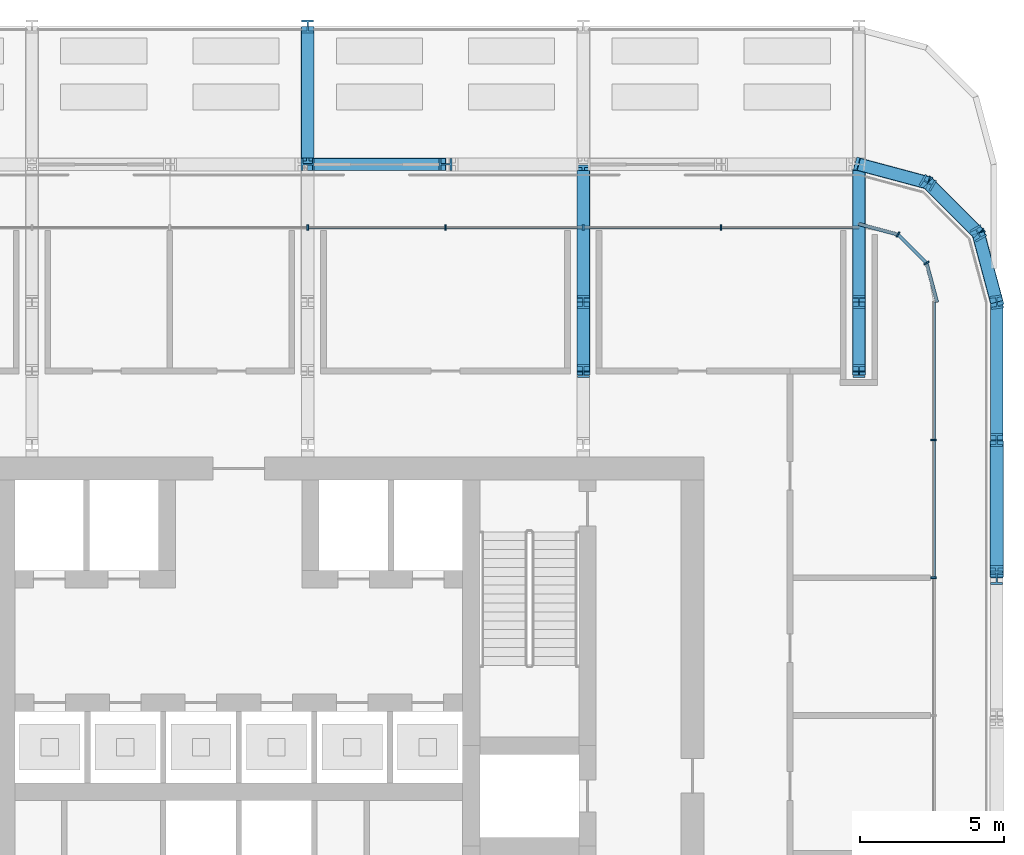
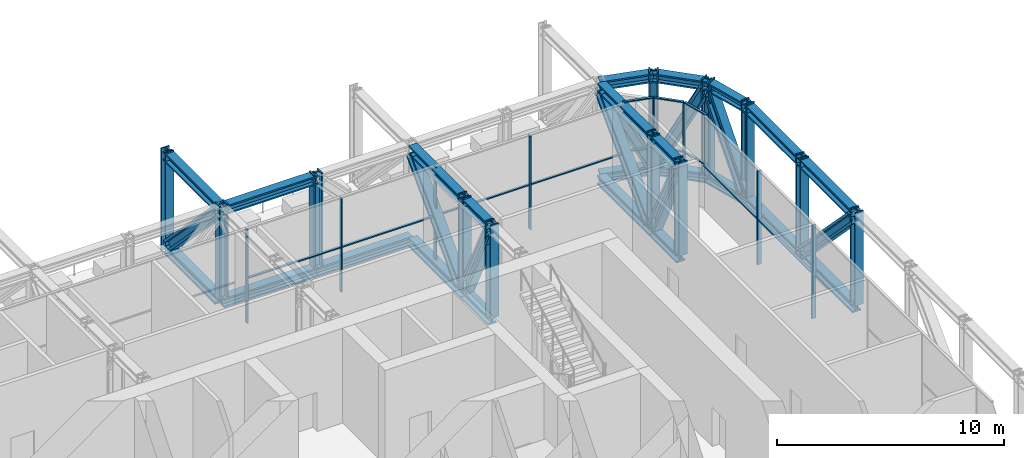
# One storey, part 12 of 27: 64 members, 3 elements without a shape of their own.
"""IFC4 building model written with IfcOpenShell, lengths in metres."""

from ifc_helpers import new_model, si_unit, direction, frame, origin, origin_2d, place, context, subcontext, project, spatial, rectangle, i_section, extrude, material, layer, layer_set, material_profile, profile_set, type_object, element, aggregate, save


model = new_model("IFC4")

# Units and contexts
model_context = context("Model", 3, precision=1e-05, world=origin(), true_north=direction((0.0, 1.0)))
body_context = subcontext(model_context, "Body", "Model", "MODEL_VIEW")
ifc_project = project(units=[si_unit("LENGTHUNIT", "METRE"), si_unit("AREAUNIT", "SQUARE_METRE"), si_unit("VOLUMEUNIT", "CUBIC_METRE"), si_unit("PLANEANGLEUNIT", "RADIAN"), si_unit("MASSUNIT", "GRAM", prefix="KILO")], contexts=[model_context])

# Site, building, storey
site_placement = place(None, origin())
site = spatial("IfcSite", under=ifc_project, at=site_placement, CompositionType="ELEMENT")
building_placement = place(site_placement, origin())
building = spatial("IfcBuilding", under=site, at=building_placement, Name="Madar Terraces", CompositionType="ELEMENT")
storey_placement = place(building_placement, frame((0.0, 0.0, 143.60009765625)))
storey = spatial("IfcBuildingStorey", under=building, at=storey_placement, Name="L37", CompositionType="ELEMENT", Elevation=143.60009765625)

# Members
ifc_material_1 = material(Name="Steel ASTM A913 Grade 65", Category="steel")
ifc_material_profile_1 = material_profile(ifc_material_1, i_section(OverallWidth=0.431884765625, OverallDepth=0.497802734375, WebThickness=0.0556640625, FlangeThickness=0.0888671875, at=origin_2d()), Name="W14x500")
ifc_profile_set_1 = profile_set([ifc_material_profile_1], Name="Steel ASTM A913 Grade 65")
member_type_1 = type_object("IfcMemberType", Name="BC5 W14x500", PredefinedType="CHORD", material=ifc_profile_set_1)
member_1_placement = place(storey_placement, frame((57.60009765625, 33.60009765625, -0.171142578125), z_axis=(0.0, 1.0, 0.0), x_axis=(-1.0, 0.0, 0.0)))
element("IfcMember", 1, at=member_1_placement, inside=storey, type_object=member_type_1, Name="Exoskeleton truss ring bottom chord BC5", PredefinedType="CHORD", context=body_context, shape_type="SweptSolid", body=[
    extrude(i_section(OverallWidth=0.431884765625, OverallDepth=0.497802734375, WebThickness=0.0556640625, FlangeThickness=0.0888671875, at=origin_2d()), origin(), (0.0, 0.0, 1.0), 4.7998046875),
])
member_2_placement = place(storey_placement, frame((57.60009765625, 38.39990234375, -0.171142578125), z_axis=(0.0, 1.0, 0.0), x_axis=(-1.0, 0.0, 0.0)))
element("IfcMember", 2, at=member_2_placement, inside=storey, type_object=member_type_1, Name="Exoskeleton truss ring bottom chord BC5", PredefinedType="CHORD", context=body_context, shape_type="SweptSolid", body=[
    extrude(i_section(OverallWidth=0.431884765625, OverallDepth=0.497802734375, WebThickness=0.0556640625, FlangeThickness=0.0888671875, at=origin_2d()), origin(), (0.0, 0.0, 1.0), 4.800048828125),
])
member_3_placement = place(storey_placement, frame((57.60009765625, 43.199951171875, -0.171142578125), z_axis=(-0.258799930484, 0.965930947833, 0.0), x_axis=(-0.965930947833, -0.258799930484, 0.0)))
element("IfcMember", 3, at=member_3_placement, inside=storey, type_object=member_type_1, Name="Exoskeleton truss ring bottom chord BC5", PredefinedType="CHORD", context=body_context, shape_type="SweptSolid", body=[
    extrude(i_section(OverallWidth=0.431884765625, OverallDepth=0.497802734375, WebThickness=0.0556640625, FlangeThickness=0.0888671875, at=origin_2d()), origin(), (0.0, 0.0, 1.0), 2.48486328125),
])
for number, where, z_axis, x_axis, name in (
    (4, (56.95703125, 45.60009765625, -0.171142578125), (-0.707155907999, 0.70705765096, 0.0), (-0.70705765096, -0.707155907999, 0.0), "Exoskeleton truss ring bottom chord BC5"),
    (5, (55.199951171875, 47.35693359375, -0.171142578125), (-0.965924366126, 0.258824494443, 0.0), (-0.258824494443, -0.965924366126, 0.0), "Exoskeleton truss ring bottom chord BC5"),
):
    element("IfcMember", number, at=place(storey_placement, frame(where, z_axis=z_axis, x_axis=x_axis)), inside=storey, type_object=member_type_1, Name=name, PredefinedType="CHORD", context=body_context, shape_type="SweptSolid", body=[
        extrude(i_section(OverallWidth=0.431884765625, OverallDepth=0.497802734375, WebThickness=0.0556640625, FlangeThickness=0.0888671875, at=origin_2d()), origin(), (0.0, 0.0, 1.0), 2.484619140625),
    ])
member_4_placement = place(storey_placement, frame((43.199951171875, 48.0, -0.171142578125), z_axis=(-1.0, 0.0, 0.0), x_axis=(0.0, -1.0, 0.0)))
element("IfcMember", 6, at=member_4_placement, inside=storey, type_object=member_type_1, Name="Exoskeleton truss ring bottom chord BC5", PredefinedType="CHORD", context=body_context, shape_type="SweptSolid", body=[
    extrude(i_section(OverallWidth=0.431884765625, OverallDepth=0.497802734375, WebThickness=0.0556640625, FlangeThickness=0.0888671875, at=origin_2d()), origin(), (0.0, 0.0, 1.0), 4.800048828125),
])
member_5_placement = place(storey_placement, frame((38.39990234375, 48.0, -0.171142578125), z_axis=(-1.0, 0.0, 0.0), x_axis=(0.0, -1.0, 0.0)))
element("IfcMember", 7, at=member_5_placement, inside=storey, type_object=member_type_1, Name="Exoskeleton truss ring bottom chord BC5", PredefinedType="CHORD", context=body_context, shape_type="SweptSolid", body=[
    extrude(i_section(OverallWidth=0.431884765625, OverallDepth=0.497802734375, WebThickness=0.0556640625, FlangeThickness=0.0888671875, at=origin_2d()), origin(), (0.0, 0.0, 1.0), 4.7998046875),
])
for number, where, z_axis, x_axis, name in (
    (8, (33.60009765625, 52.800048828125, -0.171142578125), (0.0, -1.0, 0.0), (1.0, 0.0, 0.0), "Exoskeleton truss cross N33.6 bottom chord BC5"),
    (9, (43.199951171875, 47.7841796875, -0.171142578125), (0.0, -1.0, 0.0), (1.0, 0.0, 0.0), "Exoskeleton truss cross N43.2 bottom chord BC5"),
):
    element("IfcMember", number, at=place(storey_placement, frame(where, z_axis=z_axis, x_axis=x_axis)), inside=storey, type_object=member_type_1, Name=name, PredefinedType="CHORD", context=body_context, shape_type="SweptSolid", body=[
        extrude(i_section(OverallWidth=0.431884765625, OverallDepth=0.497802734375, WebThickness=0.0556640625, FlangeThickness=0.0888671875, at=origin_2d()), origin(), (0.0, 0.0, 1.0), 4.584228515625),
    ])
member_6_placement = place(storey_placement, frame((43.199951171875, 43.199951171875, -0.171142578125), z_axis=(0.0, -1.0, 0.0), x_axis=(1.0, 0.0, 0.0)))
element("IfcMember", 10, at=member_6_placement, inside=storey, type_object=member_type_1, Name="Exoskeleton truss cross N43.2 bottom chord BC5", PredefinedType="CHORD", context=body_context, shape_type="SweptSolid", body=[
    extrude(i_section(OverallWidth=0.431884765625, OverallDepth=0.497802734375, WebThickness=0.0556640625, FlangeThickness=0.0888671875, at=origin_2d()), origin(), (0.0, 0.0, 1.0), 2.39990234375),
])
member_7_placement = place(storey_placement, frame((52.800048828125, 47.7841796875, -0.171142578125), z_axis=(0.0, -1.0, 0.0), x_axis=(1.0, 0.0, 0.0)))
element("IfcMember", 11, at=member_7_placement, inside=storey, type_object=member_type_1, Name="Exoskeleton truss cross N52.8 bottom chord BC5", PredefinedType="CHORD", context=body_context, shape_type="SweptSolid", body=[
    extrude(i_section(OverallWidth=0.431884765625, OverallDepth=0.497802734375, WebThickness=0.0556640625, FlangeThickness=0.0888671875, at=origin_2d()), origin(), (0.0, 0.0, 1.0), 4.584228515625),
])
member_8_placement = place(storey_placement, frame((52.800048828125, 43.199951171875, -0.171142578125), z_axis=(0.0, -1.0, 0.0), x_axis=(1.0, 0.0, 0.0)))
element("IfcMember", 12, at=member_8_placement, inside=storey, type_object=member_type_1, Name="Exoskeleton truss cross N52.8 bottom chord BC5", PredefinedType="CHORD", context=body_context, shape_type="SweptSolid", body=[
    extrude(i_section(OverallWidth=0.431884765625, OverallDepth=0.497802734375, WebThickness=0.0556640625, FlangeThickness=0.0888671875, at=origin_2d()), origin(), (0.0, 0.0, 1.0), 2.39990234375),
])

# Curtain wall, members
ifc_material_2 = material(Name="Glass, ceramic frit dark grey, with black aluminium frame", Category="aluminium")
ifc_layer = layer(ifc_material_2, 0.199951171875)
ifc_layer_set = layer_set([ifc_layer], Name="Facade curtain wall, tall glazing")
curtain_wall_type = type_object("IfcCurtainWallType", Name="Facade curtain wall, tall glazing", PredefinedType="NOTDEFINED", material=ifc_layer_set)
curtain_wall_1_placement = place(storey_placement, origin())
curtain_wall_1 = element("IfcCurtainWall", 13, at=curtain_wall_1_placement, inside=storey, type_object=curtain_wall_type, Name="Outer skin curtain wall east bay 1", PredefinedType="NOTDEFINED")
ifc_material_3 = material(Name="Aluminium, black anodised", Category="aluminium")
ifc_material_profile_2 = material_profile(ifc_material_3, rectangle(XDim=0.199951171875, YDim=0.06005859375, at=origin_2d()), Name="Facade mullion 60x200")
ifc_profile_set_2 = profile_set([ifc_material_profile_2], Name="Aluminium, black anodised")
member_type_2 = type_object("IfcMemberType", Name="Facade mullion 60x200", PredefinedType="MULLION", material=ifc_profile_set_2)
member_9_placement = place(storey_placement, frame((55.39990234375, 33.60009765625, 0.0), z_axis=(0.0, 0.0, 1.0), x_axis=(-1.0, 0.0, 0.0)))
member_9 = element("IfcMember", 14, at=member_9_placement, type_object=member_type_2, Name="Mullion 6", PredefinedType="MULLION", context=body_context, shape_type="SweptSolid", body=[
    extrude(rectangle(XDim=0.199951171875, YDim=0.06005859375, at=origin_2d()), origin(), (0.0, 0.0, 1.0), 5.039794921875),
])
member_10_placement = place(storey_placement, frame((55.39990234375, 38.39990234375, 0.0), z_axis=(0.0, 0.0, 1.0), x_axis=(-1.0, 0.0, 0.0)))
member_10 = element("IfcMember", 15, at=member_10_placement, type_object=member_type_2, Name="Mullion 7", PredefinedType="MULLION", context=body_context, shape_type="SweptSolid", body=[
    extrude(rectangle(XDim=0.199951171875, YDim=0.06005859375, at=origin_2d()), origin(), (0.0, 0.0, 1.0), 5.039794921875),
])

curtain_wall_2_placement = place(storey_placement, origin())
curtain_wall_2 = element("IfcCurtainWall", 16, at=curtain_wall_2_placement, inside=storey, type_object=curtain_wall_type, Name="Outer skin curtain wall north bay 1", PredefinedType="NOTDEFINED")
member_11_placement = place(storey_placement, frame((48.0, 45.800048828125, 0.0), z_axis=(0.0, 0.0, 1.0), x_axis=(0.0, -1.0, 0.0)))
member_11 = element("IfcMember", 17, at=member_11_placement, type_object=member_type_2, Name="Mullion 1", PredefinedType="MULLION", context=body_context, shape_type="SweptSolid", body=[
    extrude(rectangle(XDim=0.199951171875, YDim=0.06005859375, at=origin_2d()), origin(), (0.0, 0.0, 1.0), 5.039794921875),
])
member_12_placement = place(storey_placement, frame((43.199951171875, 45.800048828125, 0.0), z_axis=(0.0, 0.0, 1.0), x_axis=(0.0, -1.0, 0.0)))
member_12 = element("IfcMember", 18, at=member_12_placement, type_object=member_type_2, Name="Mullion 2", PredefinedType="MULLION", context=body_context, shape_type="SweptSolid", body=[
    extrude(rectangle(XDim=0.199951171875, YDim=0.06005859375, at=origin_2d()), origin(), (0.0, 0.0, 1.0), 5.039794921875),
])
member_13_placement = place(storey_placement, frame((38.39990234375, 45.800048828125, 0.0), z_axis=(0.0, 0.0, 1.0), x_axis=(0.0, -1.0, 0.0)))
member_13 = element("IfcMember", 19, at=member_13_placement, type_object=member_type_2, Name="Mullion 3", PredefinedType="MULLION", context=body_context, shape_type="SweptSolid", body=[
    extrude(rectangle(XDim=0.199951171875, YDim=0.06005859375, at=origin_2d()), origin(), (0.0, 0.0, 1.0), 5.039794921875),
])
member_14_placement = place(storey_placement, frame((33.60009765625, 45.800048828125, 0.0), z_axis=(0.0, 0.0, 1.0), x_axis=(0.0, -1.0, 0.0)))
member_14 = element("IfcMember", 20, at=member_14_placement, type_object=member_type_2, Name="Mullion 4", PredefinedType="MULLION", context=body_context, shape_type="SweptSolid", body=[
    extrude(rectangle(XDim=0.199951171875, YDim=0.06005859375, at=origin_2d()), origin(), (0.0, 0.0, 1.0), 5.039794921875),
])

curtain_wall_3_placement = place(storey_placement, origin())
curtain_wall_3 = element("IfcCurtainWall", 21, at=curtain_wall_3_placement, inside=storey, type_object=curtain_wall_type, Name="Outer skin curtain wall north-east corner", PredefinedType="NOTDEFINED")
member_15_placement = place(storey_placement, frame((55.155517578125, 44.56005859375, 0.0), z_axis=(0.0, 0.0, 1.0), x_axis=(-0.866025386925, -0.500000029202, 0.0)))
member_15 = element("IfcMember", 22, at=member_15_placement, type_object=member_type_2, Name="Mullion 1", PredefinedType="MULLION", context=body_context, shape_type="SweptSolid", body=[
    extrude(rectangle(XDim=0.199951171875, YDim=0.06005859375, at=origin_2d()), origin(), (0.0, 0.0, 1.0), 5.039794921875),
])
member_16_placement = place(storey_placement, frame((54.159912109375, 45.5556640625, 0.0), z_axis=(0.0, 0.0, 1.0), x_axis=(-0.500000029202, -0.866025386925, 0.0)))
member_16 = element("IfcMember", 23, at=member_16_placement, type_object=member_type_2, Name="Mullion 2", PredefinedType="MULLION", context=body_context, shape_type="SweptSolid", body=[
    extrude(rectangle(XDim=0.199951171875, YDim=0.06005859375, at=origin_2d()), origin(), (0.0, 0.0, 1.0), 5.039794921875),
])

# Member
ifc_material_4 = material(Name="Aluminium, black anodised", Category="aluminium")
ifc_material_profile_3 = material_profile(ifc_material_4, rectangle(XDim=0.1201171875, YDim=0.06005859375, at=origin_2d()), Name="Facade transom 60x120")
ifc_profile_set_3 = profile_set([ifc_material_profile_3], Name="Aluminium, black anodised")
member_type_3 = type_object("IfcMemberType", Name="Facade transom 60x120", PredefinedType="USERDEFINED", material=ifc_profile_set_3)
member_17_placement = place(storey_placement, frame((55.39990234375, 33.6298828125, 2.39990234375), z_axis=(0.0, 1.0, 0.0), x_axis=(-1.0, 0.0, 0.0)))
member_17 = element("IfcMember", 24, at=member_17_placement, type_object=member_type_3, Name="Transom 8", ObjectType="TRANSOM", PredefinedType="USERDEFINED", context=body_context, shape_type="SweptSolid", body=[
    extrude(rectangle(XDim=0.1201171875, YDim=0.06005859375, at=origin_2d()), origin(), (0.0, 0.0, 1.0), 4.740234375),
])

member_18_placement = place(storey_placement, frame((55.39990234375, 38.429931640625, 2.39990234375), z_axis=(0.0, 1.0, 0.0), x_axis=(-1.0, 0.0, 0.0)))
member_18 = element("IfcMember", 25, at=member_18_placement, type_object=member_type_3, Name="Transom 9", ObjectType="TRANSOM", PredefinedType="USERDEFINED", context=body_context, shape_type="SweptSolid", body=[
    extrude(rectangle(XDim=0.1201171875, YDim=0.06005859375, at=origin_2d()), origin(), (0.0, 0.0, 1.0), 4.77001953125),
])

aggregate(curtain_wall_1, [member_9, member_10, member_17, member_18])

member_19_placement = place(storey_placement, frame((52.800048828125, 45.800048828125, 2.39990234375), z_axis=(-1.0, 0.0, 0.0), x_axis=(0.0, -1.0, 0.0)))
member_19 = element("IfcMember", 26, at=member_19_placement, type_object=member_type_3, Name="Transom 2", ObjectType="TRANSOM", PredefinedType="USERDEFINED", context=body_context, shape_type="SweptSolid", body=[
    extrude(rectangle(XDim=0.1201171875, YDim=0.06005859375, at=origin_2d()), origin(), (0.0, 0.0, 1.0), 4.77001953125),
])

member_20_placement = place(storey_placement, frame((47.969970703125, 45.800048828125, 2.39990234375), z_axis=(-1.0, 0.0, 0.0), x_axis=(0.0, -1.0, 0.0)))
member_20 = element("IfcMember", 27, at=member_20_placement, type_object=member_type_3, Name="Transom 3", ObjectType="TRANSOM", PredefinedType="USERDEFINED", context=body_context, shape_type="SweptSolid", body=[
    extrude(rectangle(XDim=0.1201171875, YDim=0.06005859375, at=origin_2d()), origin(), (0.0, 0.0, 1.0), 4.739990234375),
])

member_21_placement = place(storey_placement, frame((43.169921875, 45.800048828125, 2.39990234375), z_axis=(-1.0, 0.0, 0.0), x_axis=(0.0, -1.0, 0.0)))
member_21 = element("IfcMember", 28, at=member_21_placement, type_object=member_type_3, Name="Transom 4", ObjectType="TRANSOM", PredefinedType="USERDEFINED", context=body_context, shape_type="SweptSolid", body=[
    extrude(rectangle(XDim=0.1201171875, YDim=0.06005859375, at=origin_2d()), origin(), (0.0, 0.0, 1.0), 4.739990234375),
])

member_22_placement = place(storey_placement, frame((38.3701171875, 45.800048828125, 2.39990234375), z_axis=(-1.0, 0.0, 0.0), x_axis=(0.0, -1.0, 0.0)))
member_22 = element("IfcMember", 29, at=member_22_placement, type_object=member_type_3, Name="Transom 5", ObjectType="TRANSOM", PredefinedType="USERDEFINED", context=body_context, shape_type="SweptSolid", body=[
    extrude(rectangle(XDim=0.1201171875, YDim=0.06005859375, at=origin_2d()), origin(), (0.0, 0.0, 1.0), 4.740234375),
])

aggregate(curtain_wall_2, [member_11, member_12, member_13, member_14, member_19, member_20, member_21, member_22])

member_23_placement = place(storey_placement, frame((55.52001953125, 43.199951171875, 5.06982421875), z_axis=(-0.258842352791, 0.965919580711, 0.0), x_axis=(-0.965919580711, -0.258842352791, 0.0)))
member_23 = element("IfcMember", 30, at=member_23_placement, type_object=member_type_3, Name="Transom 1", ObjectType="TRANSOM", PredefinedType="USERDEFINED", context=body_context, shape_type="SweptSolid", body=[
    extrude(rectangle(XDim=0.1201171875, YDim=0.06005859375, at=origin_2d()), origin(), (0.0, 0.0, 1.0), 1.3779296875),
])

member_24_placement = place(storey_placement, frame((55.52001953125, 43.199951171875, 2.39990234375), z_axis=(-0.258842352791, 0.965919580711, 0.0), x_axis=(-0.965919580711, -0.258842352791, 0.0)))
member_24 = element("IfcMember", 31, at=member_24_placement, type_object=member_type_3, Name="Transom 2", ObjectType="TRANSOM", PredefinedType="USERDEFINED", context=body_context, shape_type="SweptSolid", body=[
    extrude(rectangle(XDim=0.1201171875, YDim=0.06005859375, at=origin_2d()), origin(), (0.0, 0.0, 1.0), 1.3779296875),
])

member_25_placement = place(storey_placement, frame((55.13427734375, 44.581298828125, 5.06982421875), z_axis=(-0.707106781187, 0.707106781187, 0.0), x_axis=(-0.707106781187, -0.707106781187, 0.0)))
member_25 = element("IfcMember", 32, at=member_25_placement, type_object=member_type_3, Name="Transom 3", ObjectType="TRANSOM", PredefinedType="USERDEFINED", context=body_context, shape_type="SweptSolid", body=[
    extrude(rectangle(XDim=0.1201171875, YDim=0.06005859375, at=origin_2d()), origin(), (0.0, 0.0, 1.0), 1.347900390625),
])

member_26_placement = place(storey_placement, frame((55.13427734375, 44.581298828125, 2.39990234375), z_axis=(-0.707106781187, 0.707106781187, 0.0), x_axis=(-0.707106781187, -0.707106781187, 0.0)))
member_26 = element("IfcMember", 33, at=member_26_placement, type_object=member_type_3, Name="Transom 4", ObjectType="TRANSOM", PredefinedType="USERDEFINED", context=body_context, shape_type="SweptSolid", body=[
    extrude(rectangle(XDim=0.1201171875, YDim=0.06005859375, at=origin_2d()), origin(), (0.0, 0.0, 1.0), 1.347900390625),
])

member_27_placement = place(storey_placement, frame((54.131103515625, 45.563232421875, 5.06982421875), z_axis=(-0.965919580711, 0.258842352791, 0.0), x_axis=(-0.258842352791, -0.965919580711, 0.0)))
member_27 = element("IfcMember", 34, at=member_27_placement, type_object=member_type_3, Name="Transom 5", ObjectType="TRANSOM", PredefinedType="USERDEFINED", context=body_context, shape_type="SweptSolid", body=[
    extrude(rectangle(XDim=0.1201171875, YDim=0.06005859375, at=origin_2d()), origin(), (0.0, 0.0, 1.0), 1.3779296875),
])

member_28_placement = place(storey_placement, frame((54.131103515625, 45.563232421875, 2.39990234375), z_axis=(-0.965919580711, 0.258842352791, 0.0), x_axis=(-0.258842352791, -0.965919580711, 0.0)))
member_28 = element("IfcMember", 35, at=member_28_placement, type_object=member_type_3, Name="Transom 6", ObjectType="TRANSOM", PredefinedType="USERDEFINED", context=body_context, shape_type="SweptSolid", body=[
    extrude(rectangle(XDim=0.1201171875, YDim=0.06005859375, at=origin_2d()), origin(), (0.0, 0.0, 1.0), 1.3779296875),
])

aggregate(curtain_wall_3, [member_15, member_23, member_24, member_16, member_25, member_26, member_27, member_28])

# Members
ifc_material_5 = material(Name="Steel ASTM A913 Grade 65", Category="steel")
ifc_material_profile_4 = material_profile(ifc_material_5, i_section(OverallWidth=0.424072265625, OverallDepth=0.47509765625, WebThickness=0.0478515625, FlangeThickness=0.0771484375, at=origin_2d()), Name="W14x426")
ifc_profile_set_4 = profile_set([ifc_material_profile_4], Name="Steel ASTM A913 Grade 65")
member_type_4 = type_object("IfcMemberType", Name="TC5 W14x426", PredefinedType="CHORD", material=ifc_profile_set_4)
member_29_placement = place(storey_placement, frame((57.60009765625, 33.60009765625, 4.79248046875), z_axis=(0.0, 1.0, 0.0), x_axis=(-1.0, 0.0, 0.0)))
element("IfcMember", 36, at=member_29_placement, inside=storey, type_object=member_type_4, Name="Exoskeleton truss ring top chord TC5", PredefinedType="CHORD", context=body_context, shape_type="SweptSolid", body=[
    extrude(i_section(OverallWidth=0.424072265625, OverallDepth=0.47509765625, WebThickness=0.0478515625, FlangeThickness=0.0771484375, at=origin_2d()), origin(), (0.0, 0.0, 1.0), 4.7998046875),
])
member_30_placement = place(storey_placement, frame((57.60009765625, 38.39990234375, 4.79248046875), z_axis=(0.0, 1.0, 0.0), x_axis=(-1.0, 0.0, 0.0)))
element("IfcMember", 37, at=member_30_placement, inside=storey, type_object=member_type_4, Name="Exoskeleton truss ring top chord TC5", PredefinedType="CHORD", context=body_context, shape_type="SweptSolid", body=[
    extrude(i_section(OverallWidth=0.424072265625, OverallDepth=0.47509765625, WebThickness=0.0478515625, FlangeThickness=0.0771484375, at=origin_2d()), origin(), (0.0, 0.0, 1.0), 4.800048828125),
])
member_31_placement = place(storey_placement, frame((57.60009765625, 43.199951171875, 4.79248046875), z_axis=(-0.258799930484, 0.965930947833, 0.0), x_axis=(-0.965930947833, -0.258799930484, 0.0)))
element("IfcMember", 38, at=member_31_placement, inside=storey, type_object=member_type_4, Name="Exoskeleton truss ring top chord TC5", PredefinedType="CHORD", context=body_context, shape_type="SweptSolid", body=[
    extrude(i_section(OverallWidth=0.424072265625, OverallDepth=0.47509765625, WebThickness=0.0478515625, FlangeThickness=0.0771484375, at=origin_2d()), origin(), (0.0, 0.0, 1.0), 2.48486328125),
])
for number, where, z_axis, x_axis, name in (
    (39, (56.95703125, 45.60009765625, 4.79248046875), (-0.707155907999, 0.70705765096, 0.0), (-0.70705765096, -0.707155907999, 0.0), "Exoskeleton truss ring top chord TC5"),
    (40, (55.199951171875, 47.35693359375, 4.79248046875), (-0.965924366126, 0.258824494443, 0.0), (-0.258824494443, -0.965924366126, 0.0), "Exoskeleton truss ring top chord TC5"),
):
    element("IfcMember", number, at=place(storey_placement, frame(where, z_axis=z_axis, x_axis=x_axis)), inside=storey, type_object=member_type_4, Name=name, PredefinedType="CHORD", context=body_context, shape_type="SweptSolid", body=[
        extrude(i_section(OverallWidth=0.424072265625, OverallDepth=0.47509765625, WebThickness=0.0478515625, FlangeThickness=0.0771484375, at=origin_2d()), origin(), (0.0, 0.0, 1.0), 2.484619140625),
    ])
member_32_placement = place(storey_placement, frame((38.39990234375, 48.0, 4.79248046875), z_axis=(-1.0, 0.0, 0.0), x_axis=(0.0, -1.0, 0.0)))
element("IfcMember", 41, at=member_32_placement, inside=storey, type_object=member_type_4, Name="Exoskeleton truss ring top chord TC5", PredefinedType="CHORD", context=body_context, shape_type="SweptSolid", body=[
    extrude(i_section(OverallWidth=0.424072265625, OverallDepth=0.47509765625, WebThickness=0.0478515625, FlangeThickness=0.0771484375, at=origin_2d()), origin(), (0.0, 0.0, 1.0), 4.7998046875),
])
for number, where, z_axis, x_axis, name in (
    (42, (33.60009765625, 52.800048828125, 4.79248046875), (0.0, -1.0, 0.0), (1.0, 0.0, 0.0), "Exoskeleton truss cross N33.6 top chord TC5"),
    (43, (43.199951171875, 47.787841796875, 4.79248046875), (0.0, -1.0, 0.0), (1.0, 0.0, 0.0), "Exoskeleton truss cross N43.2 top chord TC5"),
):
    element("IfcMember", number, at=place(storey_placement, frame(where, z_axis=z_axis, x_axis=x_axis)), inside=storey, type_object=member_type_4, Name=name, PredefinedType="CHORD", context=body_context, shape_type="SweptSolid", body=[
        extrude(i_section(OverallWidth=0.424072265625, OverallDepth=0.47509765625, WebThickness=0.0478515625, FlangeThickness=0.0771484375, at=origin_2d()), origin(), (0.0, 0.0, 1.0), 4.587890625),
    ])
member_33_placement = place(storey_placement, frame((43.199951171875, 43.199951171875, 4.79248046875), z_axis=(0.0, -1.0, 0.0), x_axis=(1.0, 0.0, 0.0)))
element("IfcMember", 44, at=member_33_placement, inside=storey, type_object=member_type_4, Name="Exoskeleton truss cross N43.2 top chord TC5", PredefinedType="CHORD", context=body_context, shape_type="SweptSolid", body=[
    extrude(i_section(OverallWidth=0.424072265625, OverallDepth=0.47509765625, WebThickness=0.0478515625, FlangeThickness=0.0771484375, at=origin_2d()), origin(), (0.0, 0.0, 1.0), 2.39990234375),
])
member_34_placement = place(storey_placement, frame((52.800048828125, 47.787841796875, 4.79248046875), z_axis=(0.0, -1.0, 0.0), x_axis=(1.0, 0.0, 0.0)))
element("IfcMember", 45, at=member_34_placement, inside=storey, type_object=member_type_4, Name="Exoskeleton truss cross N52.8 top chord TC5", PredefinedType="CHORD", context=body_context, shape_type="SweptSolid", body=[
    extrude(i_section(OverallWidth=0.424072265625, OverallDepth=0.47509765625, WebThickness=0.0478515625, FlangeThickness=0.0771484375, at=origin_2d()), origin(), (0.0, 0.0, 1.0), 4.587890625),
])
member_35_placement = place(storey_placement, frame((52.800048828125, 43.199951171875, 4.79248046875), z_axis=(0.0, -1.0, 0.0), x_axis=(1.0, 0.0, 0.0)))
element("IfcMember", 46, at=member_35_placement, inside=storey, type_object=member_type_4, Name="Exoskeleton truss cross N52.8 top chord TC5", PredefinedType="CHORD", context=body_context, shape_type="SweptSolid", body=[
    extrude(i_section(OverallWidth=0.424072265625, OverallDepth=0.47509765625, WebThickness=0.0478515625, FlangeThickness=0.0771484375, at=origin_2d()), origin(), (0.0, 0.0, 1.0), 2.39990234375),
])
ifc_material_6 = material(Name="Steel ASTM A913 Grade 65", Category="steel")
ifc_material_profile_5 = material_profile(ifc_material_6, i_section(OverallWidth=0.45458984375, OverallDepth=0.56884765625, WebThickness=0.077880859375, FlangeThickness=0.124755859375, at=origin_2d()), Name="W14x730")
ifc_profile_set_5 = profile_set([ifc_material_profile_5], Name="Steel ASTM A913 Grade 65")
member_type_5 = type_object("IfcMemberType", Name="TD5 W14x730", PredefinedType="BRACE", material=ifc_profile_set_5)
member_36_placement = place(storey_placement, frame((57.60009765625, 33.82958984375, 4.554931640625), z_axis=(0.0, 0.695149746219, -0.718864959733), x_axis=(-1.0, 0.0, 0.0)))
element("IfcMember", 47, at=member_36_placement, inside=storey, type_object=member_type_5, Name="Exoskeleton truss ring diagonal TD5", PredefinedType="BRACE", context=body_context, shape_type="SweptSolid", body=[
    extrude(i_section(OverallWidth=0.45458984375, OverallDepth=0.56884765625, WebThickness=0.077880859375, FlangeThickness=0.124755859375, at=origin_2d()), origin(), (0.0, 0.0, 1.0), 6.228271484375),
])
for number, where, z_axis, x_axis, name in (
    (48, (57.56787109375, 43.3203125, 0.07763671875), (-0.115855859859, 0.432362756468, 0.894225847622), (-0.965923252369, -0.258828650911, 0.0), "Exoskeleton truss ring diagonal TD5"),
    (49, (56.872802734375, 45.68408203125, 4.554931640625), (-0.316507988918, 0.316507988918, -0.89422893372), (-0.707106781187, -0.707106781187, 0.0), "Exoskeleton truss ring diagonal TD5"),
    (50, (55.07958984375, 47.38916015625, 0.07763671875), (-0.432362756468, 0.115855859859, 0.894225847622), (-0.258828650911, -0.965923252369, 0.0), "Exoskeleton truss ring diagonal TD5"),
):
    element("IfcMember", number, at=place(storey_placement, frame(where, z_axis=z_axis, x_axis=x_axis)), inside=storey, type_object=member_type_5, Name=name, PredefinedType="BRACE", context=body_context, shape_type="SweptSolid", body=[
        extrude(i_section(OverallWidth=0.45458984375, OverallDepth=0.56884765625, WebThickness=0.077880859375, FlangeThickness=0.124755859375, at=origin_2d()), origin(), (0.0, 0.0, 1.0), 5.0068359375),
    ])
for number, where, z_axis, x_axis, name in (
    (51, (33.60009765625, 52.559326171875, 0.07763671875), (0.0, -0.695149746219, 0.718864959733), (1.0, 0.0, 0.0), "Exoskeleton truss cross N33.6 diagonal TD5"),
    (52, (43.199951171875, 47.770263671875, 4.554931640625), (0.0, -0.695149746219, -0.718864959733), (1.0, 0.0, 0.0), "Exoskeleton truss cross N43.2 diagonal TD5"),
):
    element("IfcMember", number, at=place(storey_placement, frame(where, z_axis=z_axis, x_axis=x_axis)), inside=storey, type_object=member_type_5, Name=name, PredefinedType="BRACE", context=body_context, shape_type="SweptSolid", body=[
        extrude(i_section(OverallWidth=0.45458984375, OverallDepth=0.56884765625, WebThickness=0.077880859375, FlangeThickness=0.124755859375, at=origin_2d()), origin(), (0.0, 0.0, 1.0), 6.228271484375),
    ])
member_37_placement = place(storey_placement, frame((43.199951171875, 43.07958984375, 0.07763671875), z_axis=(0.0, -0.435294010342, 0.900288356339), x_axis=(1.0, 0.0, 0.0)))
element("IfcMember", 53, at=member_37_placement, inside=storey, type_object=member_type_5, Name="Exoskeleton truss cross N43.2 diagonal TD5", PredefinedType="BRACE", context=body_context, shape_type="SweptSolid", body=[
    extrude(i_section(OverallWidth=0.45458984375, OverallDepth=0.56884765625, WebThickness=0.077880859375, FlangeThickness=0.124755859375, at=origin_2d()), origin(), (0.0, 0.0, 1.0), 4.97314453125),
])
member_38_placement = place(storey_placement, frame((52.800048828125, 47.770263671875, 4.554931640625), z_axis=(0.0, -0.695149746219, -0.718864959733), x_axis=(1.0, 0.0, 0.0)))
element("IfcMember", 54, at=member_38_placement, inside=storey, type_object=member_type_5, Name="Exoskeleton truss cross N52.8 diagonal TD5", PredefinedType="BRACE", context=body_context, shape_type="SweptSolid", body=[
    extrude(i_section(OverallWidth=0.45458984375, OverallDepth=0.56884765625, WebThickness=0.077880859375, FlangeThickness=0.124755859375, at=origin_2d()), origin(), (0.0, 0.0, 1.0), 6.228271484375),
])
member_39_placement = place(storey_placement, frame((52.800048828125, 43.07958984375, 0.07763671875), z_axis=(0.0, -0.435294010342, 0.900288356339), x_axis=(1.0, 0.0, 0.0)))
element("IfcMember", 55, at=member_39_placement, inside=storey, type_object=member_type_5, Name="Exoskeleton truss cross N52.8 diagonal TD5", PredefinedType="BRACE", context=body_context, shape_type="SweptSolid", body=[
    extrude(i_section(OverallWidth=0.45458984375, OverallDepth=0.56884765625, WebThickness=0.077880859375, FlangeThickness=0.124755859375, at=origin_2d()), origin(), (0.0, 0.0, 1.0), 4.97314453125),
])
ifc_material_7 = material(Name="Steel ASTM A913 Grade 65", Category="steel")
ifc_material_profile_6 = material_profile(ifc_material_7, i_section(OverallWidth=0.419189453125, OverallDepth=0.45458984375, WebThickness=0.042236328125, FlangeThickness=0.067626953125, at=origin_2d()), Name="W14x370")
ifc_profile_set_6 = profile_set([ifc_material_profile_6], Name="Steel ASTM A913 Grade 65")
member_type_6 = type_object("IfcMemberType", Name="TV5 W14x370", PredefinedType="POST", material=ifc_profile_set_6)
member_40_placement = place(storey_placement, frame((57.60009765625, 33.60009765625, 0.07763671875), z_axis=(0.0, 0.0, 1.0), x_axis=(-1.0, 0.0, 0.0)))
element("IfcMember", 56, at=member_40_placement, inside=storey, type_object=member_type_6, Name="Exoskeleton truss ring post TV5", PredefinedType="POST", context=body_context, shape_type="SweptSolid", body=[
    extrude(i_section(OverallWidth=0.419189453125, OverallDepth=0.45458984375, WebThickness=0.042236328125, FlangeThickness=0.067626953125, at=origin_2d()), origin(), (0.0, 0.0, 1.0), 5.022216796875),
])
member_41_placement = place(storey_placement, frame((57.60009765625, 38.39990234375, -0.420166015625), z_axis=(0.0, 0.0, 1.0), x_axis=(-1.0, 0.0, 0.0)))
element("IfcMember", 57, at=member_41_placement, inside=storey, type_object=member_type_6, Name="Exoskeleton truss ring post TV5", PredefinedType="POST", context=body_context, shape_type="SweptSolid", body=[
    extrude(i_section(OverallWidth=0.419189453125, OverallDepth=0.45458984375, WebThickness=0.042236328125, FlangeThickness=0.067626953125, at=origin_2d()), origin(), (0.0, 0.0, 1.0), 5.52001953125),
])
for number, where, z_axis, x_axis, name in (
    (58, (57.60009765625, 43.199951171875, 0.07763671875), (0.0, 0.0, 1.0), (-0.991444863652, -0.130526174916, 0.0), "Exoskeleton truss ring post TV5"),
    (59, (56.95703125, 45.60009765625, 0.07763671875), (0.0, 0.0, 1.0), (-0.866025412511, -0.499999984885, 0.0), "Exoskeleton truss ring post TV5"),
    (60, (55.199951171875, 47.35693359375, 0.07763671875), (0.0, 0.0, 1.0), (-0.499999984885, -0.866025412511, 0.0), "Exoskeleton truss ring post TV5"),
    (61, (38.39990234375, 48.0, 0.07763671875), (0.0, 0.0, 1.0), (0.0, -1.0, 0.0), "Exoskeleton truss ring post TV5"),
    (62, (33.60009765625, 48.0, 0.07763671875), (0.0, 0.0, 1.0), (0.0, -1.0, 0.0), "Exoskeleton truss ring post TV5"),
):
    element("IfcMember", number, at=place(storey_placement, frame(where, z_axis=z_axis, x_axis=x_axis)), inside=storey, type_object=member_type_6, Name=name, PredefinedType="POST", context=body_context, shape_type="SweptSolid", body=[
        extrude(i_section(OverallWidth=0.419189453125, OverallDepth=0.45458984375, WebThickness=0.042236328125, FlangeThickness=0.067626953125, at=origin_2d()), origin(), (0.0, 0.0, 1.0), 5.022216796875),
    ])
member_42_placement = place(storey_placement, frame((33.60009765625, 52.800048828125, -0.420166015625), z_axis=(0.0, 0.0, 1.0), x_axis=(-1.0, 0.0, 0.0)))
element("IfcMember", 63, at=member_42_placement, inside=storey, type_object=member_type_6, Name="Exoskeleton truss cross N33.6 post TV5", PredefinedType="POST", context=body_context, shape_type="SweptSolid", body=[
    extrude(i_section(OverallWidth=0.419189453125, OverallDepth=0.45458984375, WebThickness=0.042236328125, FlangeThickness=0.067626953125, at=origin_2d()), origin(), (0.0, 0.0, 1.0), 5.52001953125),
])
for number, where, z_axis, x_axis, name in (
    (64, (43.199951171875, 43.199951171875, 0.07763671875), (0.0, 0.0, 1.0), (-1.0, 0.0, 0.0), "Exoskeleton truss cross N43.2 post TV5"),
    (65, (43.199951171875, 40.800048828125, 0.07763671875), (0.0, 0.0, 1.0), (-1.0, 0.0, 0.0), "Exoskeleton truss cross N43.2 post TV5"),
    (66, (52.800048828125, 43.199951171875, 0.07763671875), (0.0, 0.0, 1.0), (-1.0, 0.0, 0.0), "Exoskeleton truss cross N52.8 post TV5"),
    (67, (52.800048828125, 40.800048828125, 0.07763671875), (0.0, 0.0, 1.0), (-1.0, 0.0, 0.0), "Exoskeleton truss cross N52.8 post TV5"),
):
    element("IfcMember", number, at=place(storey_placement, frame(where, z_axis=z_axis, x_axis=x_axis)), inside=storey, type_object=member_type_6, Name=name, PredefinedType="POST", context=body_context, shape_type="SweptSolid", body=[
        extrude(i_section(OverallWidth=0.419189453125, OverallDepth=0.45458984375, WebThickness=0.042236328125, FlangeThickness=0.067626953125, at=origin_2d()), origin(), (0.0, 0.0, 1.0), 5.022216796875),
    ])

save(model, "model.ifc")
